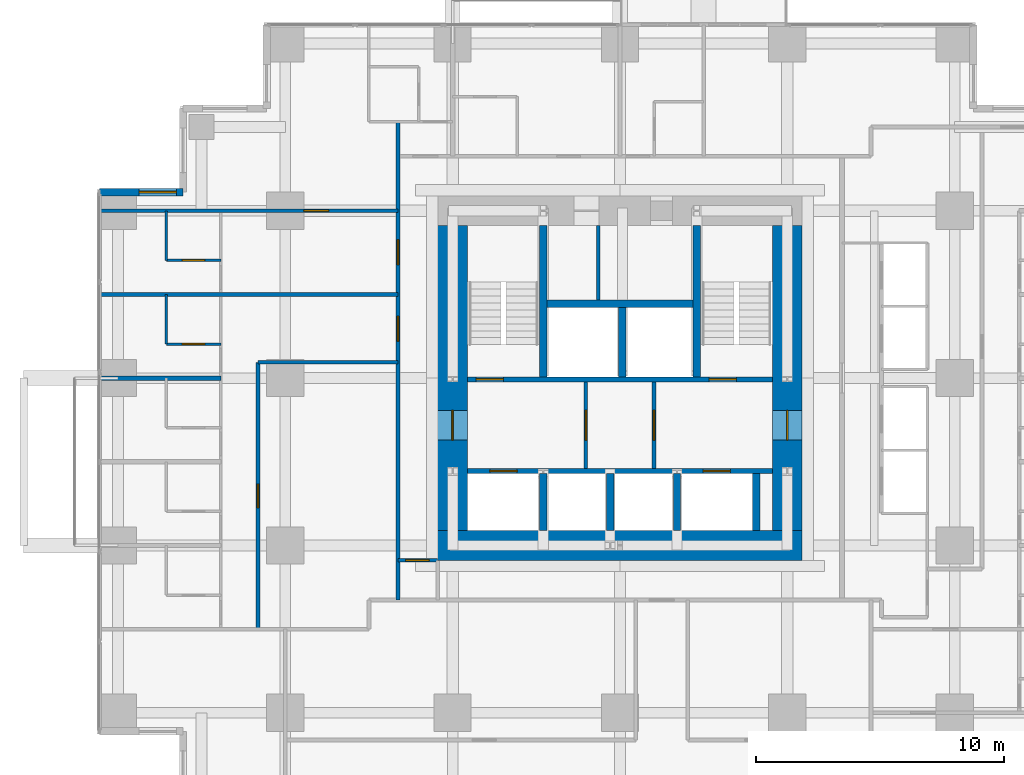
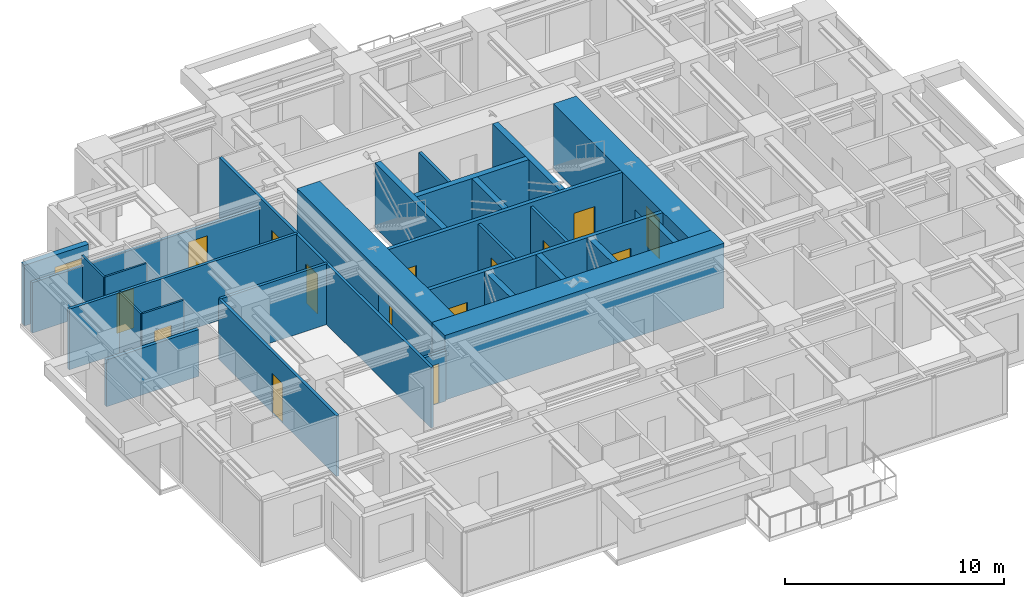
# One storey, part 8 of 12: 28 walls, 15 doors, 1 window, 16 openings.
"""IFC4 building model written with IfcOpenShell, lengths in metres."""

from ifc_helpers import new_model, si_unit, direction, frame, frame_2d, origin, place, context, subcontext, project, spatial, rectangle, extrude, material, layer, layer_set, type_object, element, fill, save


model = new_model("IFC4")

# Units and contexts
model_context = context("Model", 3, precision=1e-05, world=origin(), true_north=direction((0.0, 1.0)))
body_context = subcontext(model_context, "Body", "Model", "MODEL_VIEW")
ifc_project = project(units=[si_unit("LENGTHUNIT", "METRE"), si_unit("AREAUNIT", "SQUARE_METRE"), si_unit("VOLUMEUNIT", "CUBIC_METRE"), si_unit("PLANEANGLEUNIT", "RADIAN"), si_unit("MASSUNIT", "GRAM", prefix="KILO")], contexts=[model_context])

# Site, building, storey
site_placement = place(None, origin())
site = spatial("IfcSite", under=ifc_project, at=site_placement, CompositionType="ELEMENT")
building_placement = place(site_placement, origin())
building = spatial("IfcBuilding", under=site, at=building_placement, Name="Nyansa Garden Tower", CompositionType="ELEMENT")
storey_placement = place(building_placement, frame((0.0, 0.0, 126.89990234375)))
storey = spatial("IfcBuildingStorey", under=building, at=storey_placement, Name="L34", CompositionType="ELEMENT", Elevation=126.89990234375)

# Wall
ifc_material_1 = material(Name="Dense blockwork, plastered both sides, 55 dB", Category="masonry")
ifc_layer_1 = layer(ifc_material_1, 0.175048828125)
ifc_layer_set_1 = layer_set([ifc_layer_1], Name="Acoustic party wall PW175")
wall_type_1 = type_object("IfcWallType", Name="Acoustic party wall PW175", PredefinedType="PARTITIONING", material=ifc_layer_set_1)
wall_1_placement = place(storey_placement, frame((-0.73388671875, 20.25, 0.0), z_axis=(0.0, 0.0, 1.0), x_axis=(1.0, 0.0, 0.0)))
element("IfcWall", 1, at=wall_1_placement, inside=storey, type_object=wall_type_1, Name="Party wall", PredefinedType="PARTITIONING", context=body_context, shape_type="SweptSolid", body=[
    extrude(rectangle(XDim=4.8837890625, YDim=0.175048828125, at=frame_2d((2.44189453125, 0.0))), origin(), (0.0, 0.0, 1.0), 2.610107421875),
])

# Wall, openings, doors
ifc_material_2 = material(Name="Concrete C70/85", Category="concrete")
ifc_layer_2 = layer(ifc_material_2, 0.199951171875)
ifc_layer_set_2 = layer_set([ifc_layer_2], Name="Core inner wall CI200")
wall_type_2 = type_object("IfcWallType", Name="Core inner wall CI200", PredefinedType="SHEAR", material=ifc_layer_set_2)
wall_2_placement = place(storey_placement, frame((14.10009765625, 16.5, 0.0), z_axis=(0.0, 0.0, 1.0), x_axis=(1.0, 0.0, 0.0)))
wall_2 = element("IfcWall", 2, at=wall_2_placement, inside=storey, type_object=wall_type_2, Name="Core inner wall L34", PredefinedType="SHEAR", context=body_context, shape_type="SweptSolid", body=[
    extrude(rectangle(XDim=12.2998046875, YDim=0.199951171875, at=frame_2d((6.14990234375, 0.0))), origin(), (0.0, 0.0, 1.0), 3.60009765625),
])
opening_1_placement = place(wall_2_placement, frame((0.89990234375, 0.0, 0.0)))
opening_1 = element("IfcOpeningElement", 3, at=opening_1_placement, cuts=wall_2, Name="Opening LD-F", PredefinedType="OPENING", context=body_context, shape_type="SweptSolid", body=[
    extrude(rectangle(XDim=1.10009765625, YDim=2.199951171875, at=frame_2d((0.550048828125, 1.10009765625))), frame((0.0, 0.10986328125, 0.0), z_axis=(0.0, -1.0, 0.0), x_axis=(1.0, 0.0, 0.0)), (0.0, 0.0, 1.0), 0.219970703125),
])
opening_2_placement = place(wall_2_placement, frame((9.5, 0.0, 0.0)))
opening_2 = element("IfcOpeningElement", 4, at=opening_2_placement, cuts=wall_2, Name="Opening LD-F", PredefinedType="OPENING", context=body_context, shape_type="SweptSolid", body=[
    extrude(rectangle(XDim=1.10009765625, YDim=2.199951171875, at=frame_2d((0.550048828125, 1.10009765625))), frame((0.0, 0.10986328125, 0.0), z_axis=(0.0, -1.0, 0.0), x_axis=(1.0, 0.0, 0.0)), (0.0, 0.0, 1.0), 0.219970703125),
])
ifc_material_3 = material(Name="Stainless steel centre-opening landing door of the firefighting lift, EN 81-72, E 120", Category="steel")
door_type_1 = type_object("IfcDoorType", Name="Lift landing door LD-F 1100x2200", OperationType="DOUBLE_DOOR_SLIDING", PredefinedType="DOOR", material=ifc_material_3)
door_1_placement = place(opening_1_placement, origin())
door_1 = element("IfcDoor", 5, at=door_1_placement, inside=storey, type_object=door_type_1, Name="Landing door FF1", OperationType="DOUBLE_DOOR_SLIDING", OverallHeight=2.199951171875, OverallWidth=1.10009765625, PredefinedType="DOOR", context=body_context, shape_type="SweptSolid", body=[
    extrude(rectangle(XDim=1.10009765625, YDim=2.199951171875, at=frame_2d((0.550048828125, 1.10009765625))), frame((0.0, 0.02490234375, 0.0), z_axis=(0.0, -1.0, 0.0), x_axis=(1.0, 0.0, 0.0)), (0.0, 0.0, 1.0), 0.050048828125),
])
fill(opening_1, door_1)
door_2_placement = place(opening_2_placement, origin())
door_2 = element("IfcDoor", 6, at=door_2_placement, inside=storey, type_object=door_type_1, Name="Landing door FF2", OperationType="DOUBLE_DOOR_SLIDING", OverallHeight=2.199951171875, OverallWidth=1.10009765625, PredefinedType="DOOR", context=body_context, shape_type="SweptSolid", body=[
    extrude(rectangle(XDim=1.10009765625, YDim=2.199951171875, at=frame_2d((0.550048828125, 1.10009765625))), frame((0.0, 0.02490234375, 0.0), z_axis=(0.0, -1.0, 0.0), x_axis=(1.0, 0.0, 0.0)), (0.0, 0.0, 1.0), 0.050048828125),
])
fill(opening_2, door_2)

wall_3_placement = place(storey_placement, frame((14.10009765625, 20.199951171875, 0.0), z_axis=(0.0, 0.0, 1.0), x_axis=(1.0, 0.0, 0.0)))
wall_3 = element("IfcWall", 7, at=wall_3_placement, inside=storey, type_object=wall_type_2, Name="Core inner wall L34", PredefinedType="SHEAR", context=body_context, shape_type="SweptSolid", body=[
    extrude(rectangle(XDim=12.2998046875, YDim=0.199951171875, at=frame_2d((6.14990234375, 0.0))), origin(), (0.0, 0.0, 1.0), 3.60009765625),
])
opening_3_placement = place(wall_3_placement, frame((0.35009765625, 0.0, 0.0)))
opening_3 = element("IfcOpeningElement", 8, at=opening_3_placement, cuts=wall_3, Name="Opening D05", PredefinedType="OPENING", context=body_context, shape_type="SweptSolid", body=[
    extrude(rectangle(XDim=1.10009765625, YDim=2.199951171875, at=frame_2d((0.550048828125, 1.10009765625))), frame((0.0, 0.10986328125, 0.0), z_axis=(0.0, -1.0, 0.0), x_axis=(1.0, 0.0, 0.0)), (0.0, 0.0, 1.0), 0.219970703125),
])
opening_4_placement = place(wall_3_placement, frame((9.75, 0.0, 0.0)))
opening_4 = element("IfcOpeningElement", 9, at=opening_4_placement, cuts=wall_3, Name="Opening D05", PredefinedType="OPENING", context=body_context, shape_type="SweptSolid", body=[
    extrude(rectangle(XDim=1.10009765625, YDim=2.199951171875, at=frame_2d((0.550048828125, 1.10009765625))), frame((0.0, 0.10986328125, 0.0), z_axis=(0.0, -1.0, 0.0), x_axis=(1.0, 0.0, 0.0)), (0.0, 0.0, 1.0), 0.219970703125),
])
ifc_material_4 = material(Name="Steel door, 120 minute fire resisting", Category="steel")
door_type_2 = type_object("IfcDoorType", Name="Stair door D05 1100x2200", OperationType="SINGLE_SWING_LEFT", PredefinedType="DOOR", material=ifc_material_4)
door_3_placement = place(opening_3_placement, origin())
door_3 = element("IfcDoor", 10, at=door_3_placement, inside=storey, type_object=door_type_2, Name="Stair S1 door", OperationType="SINGLE_SWING_LEFT", OverallHeight=2.199951171875, OverallWidth=1.10009765625, PredefinedType="DOOR", context=body_context, shape_type="SweptSolid", body=[
    extrude(rectangle(XDim=1.10009765625, YDim=2.199951171875, at=frame_2d((0.550048828125, 1.10009765625))), frame((0.0, 0.02490234375, 0.0), z_axis=(0.0, -1.0, 0.0), x_axis=(1.0, 0.0, 0.0)), (0.0, 0.0, 1.0), 0.050048828125),
])
fill(opening_3, door_3)
door_4_placement = place(opening_4_placement, origin())
door_4 = element("IfcDoor", 11, at=door_4_placement, inside=storey, type_object=door_type_2, Name="Stair S2 door", OperationType="SINGLE_SWING_LEFT", OverallHeight=2.199951171875, OverallWidth=1.10009765625, PredefinedType="DOOR", context=body_context, shape_type="SweptSolid", body=[
    extrude(rectangle(XDim=1.10009765625, YDim=2.199951171875, at=frame_2d((0.550048828125, 1.10009765625))), frame((0.0, 0.02490234375, 0.0), z_axis=(0.0, -1.0, 0.0), x_axis=(1.0, 0.0, 0.0)), (0.0, 0.0, 1.0), 0.050048828125),
])
fill(opening_4, door_4)

# Walls
ifc_material_5 = material(Name="Concrete C70/85", Category="concrete")
ifc_layer_3 = layer(ifc_material_5, 0.300048828125)
ifc_layer_set_3 = layer_set([ifc_layer_3], Name="Core inner wall CI300")
wall_type_3 = type_object("IfcWallType", Name="Core inner wall CI300", PredefinedType="SHEAR", material=ifc_layer_set_3)
for number, where, z_axis, x_axis, name in (
    (12, (17.14990234375, 20.300048828125, 0.0), (0.0, 0.0, 1.0), (0.0, 1.0, 0.0), "Core inner wall L34"),
    (13, (23.35009765625, 20.300048828125, 0.0), (0.0, 0.0, 1.0), (0.0, 1.0, 0.0), "Core inner wall L34"),
):
    element("IfcWall", number, at=place(storey_placement, frame(where, z_axis=z_axis, x_axis=x_axis)), inside=storey, type_object=wall_type_3, Name=name, PredefinedType="SHEAR", context=body_context, shape_type="SweptSolid", body=[
        extrude(rectangle(XDim=6.099853515625, YDim=0.300048828125, at=frame_2d((3.0498046875, 0.0))), origin(), (0.0, 0.0, 1.0), 3.60009765625),
    ])
wall_4_placement = place(storey_placement, frame((20.35009765625, 20.300048828125, 0.0), z_axis=(0.0, 0.0, 1.0), x_axis=(0.0, 1.0, 0.0)))
element("IfcWall", 14, at=wall_4_placement, inside=storey, type_object=wall_type_3, Name="Core inner wall L34", PredefinedType="SHEAR", context=body_context, shape_type="SweptSolid", body=[
    extrude(rectangle(XDim=2.800048828125, YDim=0.300048828125, at=frame_2d((1.39990234375, 0.0))), origin(), (0.0, 0.0, 1.0), 3.60009765625),
])
wall_5_placement = place(storey_placement, frame((17.300048828125, 23.25, 0.0), z_axis=(0.0, 0.0, 1.0), x_axis=(1.0, 0.0, 0.0)))
element("IfcWall", 15, at=wall_5_placement, inside=storey, type_object=wall_type_3, Name="Core inner wall L34", PredefinedType="SHEAR", context=body_context, shape_type="SweptSolid", body=[
    extrude(rectangle(XDim=5.89990234375, YDim=0.300048828125, at=frame_2d((2.949951171875, 0.0))), origin(), (0.0, 0.0, 1.0), 3.60009765625),
])
for number, where, z_axis, x_axis, name in (
    (16, (17.14990234375, 14.10009765625, 0.0), (0.0, 0.0, 1.0), (0.0, 1.0, 0.0), "Core inner wall L34"),
    (17, (19.85009765625, 14.10009765625, 0.0), (0.0, 0.0, 1.0), (0.0, 1.0, 0.0), "Core inner wall L34"),
    (18, (22.550048828125, 14.10009765625, 0.0), (0.0, 0.0, 1.0), (0.0, 1.0, 0.0), "Core inner wall L34"),
    (19, (25.75, 14.10009765625, 0.0), (0.0, 0.0, 1.0), (0.0, 1.0, 0.0), "Core inner wall L34"),
):
    element("IfcWall", number, at=place(storey_placement, frame(where, z_axis=z_axis, x_axis=x_axis)), inside=storey, type_object=wall_type_3, Name=name, PredefinedType="SHEAR", context=body_context, shape_type="SweptSolid", body=[
        extrude(rectangle(XDim=2.2998046875, YDim=0.300048828125, at=frame_2d((1.14990234375, 0.0))), origin(), (0.0, 0.0, 1.0), 3.60009765625),
    ])
ifc_material_6 = material(Name="Concrete C80/95", Category="concrete")
ifc_layer_4 = layer(ifc_material_6, 1.199951171875)
ifc_layer_set_4 = layer_set([ifc_layer_4], Name="Core wall CW1200")
wall_type_4 = type_object("IfcWallType", Name="Core wall CW1200", PredefinedType="SHEAR", material=ifc_layer_set_4)
wall_6_placement = place(storey_placement, frame((12.89990234375, 13.5, 0.0), z_axis=(0.0, 0.0, 1.0), x_axis=(1.0, 0.0, 0.0)))
element("IfcWall", 20, at=wall_6_placement, inside=storey, type_object=wall_type_4, Name="Core wall S L34", PredefinedType="SHEAR", context=body_context, shape_type="SweptSolid", body=[
    extrude(rectangle(XDim=14.7001953125, YDim=1.199951171875, at=frame_2d((7.35009765625, 0.0))), origin(), (0.0, 0.0, 1.0), 3.60009765625),
])

# Wall, opening, door
wall_7_placement = place(storey_placement, frame((27.0, 14.10009765625, 0.0), z_axis=(0.0, 0.0, 1.0), x_axis=(0.0, 1.0, 0.0)))
wall_7 = element("IfcWall", 21, at=wall_7_placement, inside=storey, type_object=wall_type_4, Name="Core wall E L34", PredefinedType="SHEAR", context=body_context, shape_type="SweptSolid", body=[
    extrude(rectangle(XDim=12.2998046875, YDim=1.199951171875, at=frame_2d((6.14990234375, 0.0))), origin(), (0.0, 0.0, 1.0), 3.60009765625),
])
opening_5_placement = place(wall_7_placement, frame((3.64990234375, 0.0, 0.0)))
opening_5 = element("IfcOpeningElement", 22, at=opening_5_placement, cuts=wall_7, Name="Opening D06", PredefinedType="OPENING", context=body_context, shape_type="SweptSolid", body=[
    extrude(rectangle(XDim=1.199951171875, YDim=2.199951171875, at=frame_2d((0.60009765625, 1.10009765625))), frame((0.0, 0.60986328125, 0.0), z_axis=(0.0, -1.0, 0.0), x_axis=(1.0, 0.0, 0.0)), (0.0, 0.0, 1.0), 1.219970703125),
])
ifc_material_7 = material(Name="Steel door, 120 minute fire resisting", Category="steel")
door_type_3 = type_object("IfcDoorType", Name="Lobby door D06 1200x2200", OperationType="DOUBLE_DOOR_SINGLE_SWING", PredefinedType="DOOR", material=ifc_material_7)
door_5_placement = place(opening_5_placement, origin())
door_5 = element("IfcDoor", 23, at=door_5_placement, inside=storey, type_object=door_type_3, Name="Lift lobby door east", OperationType="DOUBLE_DOOR_SINGLE_SWING", OverallHeight=2.199951171875, OverallWidth=1.199951171875, PredefinedType="DOOR", context=body_context, shape_type="SweptSolid", body=[
    extrude(rectangle(XDim=1.199951171875, YDim=2.199951171875, at=frame_2d((0.60009765625, 1.10009765625))), frame((0.0, 0.02490234375, 0.0), z_axis=(0.0, -1.0, 0.0), x_axis=(1.0, 0.0, 0.0)), (0.0, 0.0, 1.0), 0.050048828125),
])
fill(opening_5, door_5)

wall_8_placement = place(storey_placement, frame((13.5, 26.39990234375, 0.0), z_axis=(0.0, 0.0, 1.0), x_axis=(0.0, -1.0, 0.0)))
wall_8 = element("IfcWall", 24, at=wall_8_placement, inside=storey, type_object=wall_type_4, Name="Core wall W L34", PredefinedType="SHEAR", context=body_context, shape_type="SweptSolid", body=[
    extrude(rectangle(XDim=12.2998046875, YDim=1.199951171875, at=frame_2d((6.14990234375, 0.0))), origin(), (0.0, 0.0, 1.0), 3.60009765625),
])
opening_6_placement = place(wall_8_placement, frame((7.449951171875, 0.0, 0.0)))
opening_6 = element("IfcOpeningElement", 25, at=opening_6_placement, cuts=wall_8, Name="Opening D06", PredefinedType="OPENING", context=body_context, shape_type="SweptSolid", body=[
    extrude(rectangle(XDim=1.199951171875, YDim=2.199951171875, at=frame_2d((0.60009765625, 1.10009765625))), frame((0.0, 0.60986328125, 0.0), z_axis=(0.0, -1.0, 0.0), x_axis=(1.0, 0.0, 0.0)), (0.0, 0.0, 1.0), 1.219970703125),
])
door_6_placement = place(opening_6_placement, origin())
door_6 = element("IfcDoor", 26, at=door_6_placement, inside=storey, type_object=door_type_3, Name="Lift lobby door west", OperationType="DOUBLE_DOOR_SINGLE_SWING", OverallHeight=2.199951171875, OverallWidth=1.199951171875, PredefinedType="DOOR", context=body_context, shape_type="SweptSolid", body=[
    extrude(rectangle(XDim=1.199951171875, YDim=2.199951171875, at=frame_2d((0.60009765625, 1.10009765625))), frame((0.0, 0.02490234375, 0.0), z_axis=(0.0, -1.0, 0.0), x_axis=(1.0, 0.0, 0.0)), (0.0, 0.0, 1.0), 0.050048828125),
])
fill(opening_6, door_6)

ifc_material_8 = material(Name="Blockwork, plastered both sides", Category="masonry")
ifc_layer_5 = layer(ifc_material_8, 0.14990234375)
ifc_layer_set_5 = layer_set([ifc_layer_5], Name="Partition PW150")
wall_type_5 = type_object("IfcWallType", Name="Partition PW150", PredefinedType="PARTITIONING", material=ifc_layer_set_5)
wall_9_placement = place(storey_placement, frame((18.875, 16.60009765625, 0.0), z_axis=(0.0, 0.0, 1.0), x_axis=(0.0, 1.0, 0.0)))
wall_9 = element("IfcWall", 27, at=wall_9_placement, inside=storey, type_object=wall_type_5, Name="Partition", PredefinedType="PARTITIONING", context=body_context, shape_type="SweptSolid", body=[
    extrude(rectangle(XDim=3.5, YDim=0.14990234375, at=frame_2d((1.75, 0.0))), origin(), (0.0, 0.0, 1.0), 3.375),
])
opening_7_placement = place(wall_9_placement, frame((1.14990234375, 0.0, 0.0)))
opening_7 = element("IfcOpeningElement", 28, at=opening_7_placement, cuts=wall_9, Name="Opening D06", PredefinedType="OPENING", context=body_context, shape_type="SweptSolid", body=[
    extrude(rectangle(XDim=1.199951171875, YDim=2.199951171875, at=frame_2d((0.60009765625, 1.10009765625))), frame((0.0, 0.0849609375, 0.0), z_axis=(0.0, -1.0, 0.0), x_axis=(1.0, 0.0, 0.0)), (0.0, 0.0, 1.0), 0.169921875),
])
door_7_placement = place(opening_7_placement, origin())
door_7 = element("IfcDoor", 29, at=door_7_placement, inside=storey, type_object=door_type_3, Name="Passenger lift lobby door", OperationType="DOUBLE_DOOR_SINGLE_SWING", OverallHeight=2.199951171875, OverallWidth=1.199951171875, PredefinedType="DOOR", context=body_context, shape_type="SweptSolid", body=[
    extrude(rectangle(XDim=1.199951171875, YDim=2.199951171875, at=frame_2d((0.60009765625, 1.10009765625))), frame((0.0, 0.02490234375, 0.0), z_axis=(0.0, -1.0, 0.0), x_axis=(1.0, 0.0, 0.0)), (0.0, 0.0, 1.0), 0.050048828125),
])
fill(opening_7, door_7)

wall_10_placement = place(storey_placement, frame((21.625, 16.60009765625, 0.0), z_axis=(0.0, 0.0, 1.0), x_axis=(0.0, 1.0, 0.0)))
wall_10 = element("IfcWall", 30, at=wall_10_placement, inside=storey, type_object=wall_type_5, Name="Partition", PredefinedType="PARTITIONING", context=body_context, shape_type="SweptSolid", body=[
    extrude(rectangle(XDim=3.5, YDim=0.14990234375, at=frame_2d((1.75, 0.0))), origin(), (0.0, 0.0, 1.0), 3.375),
])
opening_8_placement = place(wall_10_placement, frame((1.14990234375, 0.0, 0.0)))
opening_8 = element("IfcOpeningElement", 31, at=opening_8_placement, cuts=wall_10, Name="Opening D06", PredefinedType="OPENING", context=body_context, shape_type="SweptSolid", body=[
    extrude(rectangle(XDim=1.199951171875, YDim=2.199951171875, at=frame_2d((0.60009765625, 1.10009765625))), frame((0.0, 0.0849609375, 0.0), z_axis=(0.0, -1.0, 0.0), x_axis=(1.0, 0.0, 0.0)), (0.0, 0.0, 1.0), 0.169921875),
])
door_8_placement = place(opening_8_placement, origin())
door_8 = element("IfcDoor", 32, at=door_8_placement, inside=storey, type_object=door_type_3, Name="Passenger lift lobby door", OperationType="DOUBLE_DOOR_SINGLE_SWING", OverallHeight=2.199951171875, OverallWidth=1.199951171875, PredefinedType="DOOR", context=body_context, shape_type="SweptSolid", body=[
    extrude(rectangle(XDim=1.199951171875, YDim=2.199951171875, at=frame_2d((0.60009765625, 1.10009765625))), frame((0.0, 0.02490234375, 0.0), z_axis=(0.0, -1.0, 0.0), x_axis=(1.0, 0.0, 0.0)), (0.0, 0.0, 1.0), 0.050048828125),
])
fill(opening_8, door_8)

# Walls
wall_11_placement = place(storey_placement, frame((19.375, 23.39990234375, 0.0), z_axis=(0.0, 0.0, 1.0), x_axis=(0.0, 1.0, 0.0)))
element("IfcWall", 33, at=wall_11_placement, inside=storey, type_object=wall_type_5, Name="Partition", PredefinedType="PARTITIONING", context=body_context, shape_type="SweptSolid", body=[
    extrude(rectangle(XDim=3.0, YDim=0.14990234375, at=frame_2d((1.5, 0.0))), origin(), (0.0, 0.0, 1.0), 3.375),
])
wall_12_placement = place(storey_placement, frame((-0.73388671875, 23.625, 0.0), z_axis=(0.0, 0.0, 1.0), x_axis=(1.0, 0.0, 0.0)))
element("IfcWall", 34, at=wall_12_placement, inside=storey, type_object=wall_type_5, Name="Partition", PredefinedType="PARTITIONING", context=body_context, shape_type="SweptSolid", body=[
    extrude(rectangle(XDim=12.033935546875, YDim=0.14990234375, at=frame_2d((6.01708984375, 0.0))), origin(), (0.0, 0.0, 1.0), 3.375),
])

# Wall, opening, door
wall_13_placement = place(storey_placement, frame((-0.73388671875, 27.0, 0.0), z_axis=(0.0, 0.0, 1.0), x_axis=(1.0, 0.0, 0.0)))
wall_13 = element("IfcWall", 35, at=wall_13_placement, inside=storey, type_object=wall_type_5, Name="Partition", PredefinedType="PARTITIONING", context=body_context, shape_type="SweptSolid", body=[
    extrude(rectangle(XDim=12.033935546875, YDim=0.14990234375, at=frame_2d((6.01708984375, 0.0))), origin(), (0.0, 0.0, 1.0), 2.80615234375),
])
opening_9_placement = place(wall_13_placement, frame((8.23388671875, 0.0, 0.0)))
opening_9 = element("IfcOpeningElement", 36, at=opening_9_placement, cuts=wall_13, Name="Opening D03", PredefinedType="OPENING", context=body_context, shape_type="SweptSolid", body=[
    extrude(rectangle(XDim=1.0, YDim=2.199951171875, at=frame_2d((0.5, 1.10009765625))), frame((0.0, 0.0849609375, 0.0), z_axis=(0.0, -1.0, 0.0), x_axis=(1.0, 0.0, 0.0)), (0.0, 0.0, 1.0), 0.169921875),
])
ifc_material_9 = material(Name="Timber flush door, 60 minute fire resisting", Category="wood")
door_type_4 = type_object("IfcDoorType", Name="Cluster entrance door D03 1000x2200", OperationType="SINGLE_SWING_LEFT", PredefinedType="DOOR", material=ifc_material_9)
door_9_placement = place(opening_9_placement, origin())
door_9 = element("IfcDoor", 37, at=door_9_placement, inside=storey, type_object=door_type_4, Name="Door L34-051", OperationType="SINGLE_SWING_LEFT", OverallHeight=2.199951171875, OverallWidth=1.0, PredefinedType="DOOR", context=body_context, shape_type="SweptSolid", body=[
    extrude(rectangle(XDim=1.0, YDim=2.199951171875, at=frame_2d((0.5, 1.10009765625))), frame((0.0, 0.02490234375, 0.0), z_axis=(0.0, -1.0, 0.0), x_axis=(1.0, 0.0, 0.0)), (0.0, 0.0, 1.0), 0.050048828125),
])
fill(opening_9, door_9)

wall_14_placement = place(storey_placement, frame((5.64990234375, 10.125, 0.0), z_axis=(0.0, 0.0, 1.0), x_axis=(0.0, 1.0, 0.0)))
wall_14 = element("IfcWall", 38, at=wall_14_placement, inside=storey, type_object=wall_type_5, Name="Partition", PredefinedType="PARTITIONING", context=body_context, shape_type="SweptSolid", body=[
    extrude(rectangle(XDim=10.762451171875, YDim=0.14990234375, at=frame_2d((5.38134765625, 0.0))), origin(), (0.0, 0.0, 1.0), 3.375),
])
opening_10_placement = place(wall_14_placement, frame((4.89990234375, 0.0, 0.0)))
opening_10 = element("IfcOpeningElement", 39, at=opening_10_placement, cuts=wall_14, Name="Opening D01", PredefinedType="OPENING", context=body_context, shape_type="SweptSolid", body=[
    extrude(rectangle(XDim=0.949951171875, YDim=2.199951171875, at=frame_2d((0.47509765625, 1.10009765625))), frame((0.0, 0.0849609375, 0.0), z_axis=(0.0, -1.0, 0.0), x_axis=(1.0, 0.0, 0.0)), (0.0, 0.0, 1.0), 0.169921875),
])
ifc_material_10 = material(Name="Timber flush door, 30 minute fire resisting", Category="wood")
door_type_5 = type_object("IfcDoorType", Name="Bedroom door D01 950x2200", OperationType="SINGLE_SWING_LEFT", PredefinedType="DOOR", material=ifc_material_10)
door_10_placement = place(opening_10_placement, origin())
door_10 = element("IfcDoor", 40, at=door_10_placement, inside=storey, type_object=door_type_5, Name="Door L34-064", OperationType="SINGLE_SWING_LEFT", OverallHeight=2.199951171875, OverallWidth=0.949951171875, PredefinedType="DOOR", context=body_context, shape_type="SweptSolid", body=[
    extrude(rectangle(XDim=0.949951171875, YDim=2.199951171875, at=frame_2d((0.47509765625, 1.10009765625))), frame((0.0, 0.02490234375, 0.0), z_axis=(0.0, -1.0, 0.0), x_axis=(1.0, 0.0, 0.0)), (0.0, 0.0, 1.0), 0.050048828125),
])
fill(opening_10, door_10)

# Wall
wall_15_placement = place(storey_placement, frame((5.64990234375, 20.886962890625, 0.0), z_axis=(0.0, 0.0, 1.0), x_axis=(1.0, 0.0, 0.0)))
element("IfcWall", 41, at=wall_15_placement, inside=storey, type_object=wall_type_5, Name="Partition", PredefinedType="PARTITIONING", context=body_context, shape_type="SweptSolid", body=[
    extrude(rectangle(XDim=5.650146484375, YDim=0.14990234375, at=frame_2d((2.8251953125, 0.0))), origin(), (0.0, 0.0, 1.0), 3.375),
])

# Wall, openings, doors
wall_16_placement = place(storey_placement, frame((11.300048828125, 11.300048828125, 0.0), z_axis=(0.0, 0.0, 1.0), x_axis=(0.0, 1.0, 0.0)))
wall_16 = element("IfcWall", 42, at=wall_16_placement, inside=storey, type_object=wall_type_5, Name="Partition", PredefinedType="PARTITIONING", context=body_context, shape_type="SweptSolid", body=[
    extrude(rectangle(XDim=19.300048828125, YDim=0.14990234375, at=frame_2d((9.64990234375, 0.0))), origin(), (0.0, 0.0, 1.0), 3.375),
])
opening_11_placement = place(wall_16_placement, frame((13.52490234375, 0.0, 0.0)))
opening_11 = element("IfcOpeningElement", 43, at=opening_11_placement, cuts=wall_16, Name="Opening D03", PredefinedType="OPENING", context=body_context, shape_type="SweptSolid", body=[
    extrude(rectangle(XDim=1.0, YDim=2.199951171875, at=frame_2d((0.5, 1.10009765625))), frame((0.0, 0.0849609375, 0.0), z_axis=(0.0, -1.0, 0.0), x_axis=(1.0, 0.0, 0.0)), (0.0, 0.0, 1.0), 0.169921875),
])
opening_12_placement = place(wall_16_placement, frame((10.4375, 0.0, 0.0)))
opening_12 = element("IfcOpeningElement", 44, at=opening_12_placement, cuts=wall_16, Name="Opening D03", PredefinedType="OPENING", context=body_context, shape_type="SweptSolid", body=[
    extrude(rectangle(XDim=1.0, YDim=2.199951171875, at=frame_2d((0.5, 1.10009765625))), frame((0.0, 0.0849609375, 0.0), z_axis=(0.0, -1.0, 0.0), x_axis=(1.0, 0.0, 0.0)), (0.0, 0.0, 1.0), 0.169921875),
])
door_11_placement = place(opening_11_placement, origin())
door_11 = element("IfcDoor", 45, at=door_11_placement, inside=storey, type_object=door_type_4, Name="Door L34-054", OperationType="SINGLE_SWING_LEFT", OverallHeight=2.199951171875, OverallWidth=1.0, PredefinedType="DOOR", context=body_context, shape_type="SweptSolid", body=[
    extrude(rectangle(XDim=1.0, YDim=2.199951171875, at=frame_2d((0.5, 1.10009765625))), frame((0.0, 0.02490234375, 0.0), z_axis=(0.0, -1.0, 0.0), x_axis=(1.0, 0.0, 0.0)), (0.0, 0.0, 1.0), 0.050048828125),
])
fill(opening_11, door_11)
door_12_placement = place(opening_12_placement, origin())
door_12 = element("IfcDoor", 46, at=door_12_placement, inside=storey, type_object=door_type_4, Name="Door L34-063", OperationType="SINGLE_SWING_LEFT", OverallHeight=2.199951171875, OverallWidth=1.0, PredefinedType="DOOR", context=body_context, shape_type="SweptSolid", body=[
    extrude(rectangle(XDim=1.0, YDim=2.199951171875, at=frame_2d((0.5, 1.10009765625))), frame((0.0, 0.02490234375, 0.0), z_axis=(0.0, -1.0, 0.0), x_axis=(1.0, 0.0, 0.0)), (0.0, 0.0, 1.0), 0.050048828125),
])
fill(opening_12, door_12)

# Wall, opening, door
wall_17_placement = place(storey_placement, frame((11.300048828125, 12.89990234375, 0.0), z_axis=(0.0, 0.0, 1.0), x_axis=(1.0, 0.0, 0.0)))
wall_17 = element("IfcWall", 47, at=wall_17_placement, inside=storey, type_object=wall_type_5, Name="Partition", PredefinedType="PARTITIONING", context=body_context, shape_type="SweptSolid", body=[
    extrude(rectangle(XDim=1.599853515625, YDim=0.14990234375, at=frame_2d((0.7998046875, 0.0))), origin(), (0.0, 0.0, 1.0), 2.80615234375),
])
opening_13_placement = place(wall_17_placement, frame((0.300048828125, 0.0, 0.0)))
opening_13 = element("IfcOpeningElement", 48, at=opening_13_placement, cuts=wall_17, Name="Opening D01", PredefinedType="OPENING", context=body_context, shape_type="SweptSolid", body=[
    extrude(rectangle(XDim=0.949951171875, YDim=2.199951171875, at=frame_2d((0.47509765625, 1.10009765625))), frame((0.0, 0.0849609375, 0.0), z_axis=(0.0, -1.0, 0.0), x_axis=(1.0, 0.0, 0.0)), (0.0, 0.0, 1.0), 0.169921875),
])
door_13_placement = place(opening_13_placement, origin())
door_13 = element("IfcDoor", 49, at=door_13_placement, inside=storey, type_object=door_type_5, Name="Door L34-016", OperationType="SINGLE_SWING_LEFT", OverallHeight=2.199951171875, OverallWidth=0.949951171875, PredefinedType="DOOR", context=body_context, shape_type="SweptSolid", body=[
    extrude(rectangle(XDim=0.949951171875, YDim=2.199951171875, at=frame_2d((0.47509765625, 1.10009765625))), frame((0.0, 0.02490234375, 0.0), z_axis=(0.0, -1.0, 0.0), x_axis=(1.0, 0.0, 0.0)), (0.0, 0.0, 1.0), 0.050048828125),
])
fill(opening_13, door_13)

# Wall, opening, window
ifc_material_11 = material(Name="Turquoise glazed tile on concrete blockwork", Category="masonry")
ifc_layer_6 = layer(ifc_material_11, 0.300048828125)
ifc_layer_set_6 = layer_set([ifc_layer_6], Name="Tiled corner wall TW300")
wall_type_6 = type_object("IfcWallType", Name="Tiled corner wall TW300", PredefinedType="SOLIDWALL", material=ifc_layer_set_6)
wall_18_placement = place(storey_placement, frame((2.625, 27.75, 0.0), z_axis=(0.0, 0.0, 1.0), x_axis=(-1.0, 0.0, 0.0)))
wall_18 = element("IfcWall", 50, at=wall_18_placement, inside=storey, type_object=wall_type_6, Name="Tiled corner wall L34", PredefinedType="SOLIDWALL", context=body_context, shape_type="SweptSolid", body=[
    extrude(rectangle(XDim=3.375, YDim=0.300048828125, at=frame_2d((1.6875, 0.0))), origin(), (0.0, 0.0, 1.0), 3.375),
])
opening_14_placement = place(wall_18_placement, frame((0.267578125, 0.0, 0.89990234375)))
opening_14 = element("IfcOpeningElement", 51, at=opening_14_placement, cuts=wall_18, Name="Opening W1", PredefinedType="OPENING", context=body_context, shape_type="SweptSolid", body=[
    extrude(rectangle(XDim=1.5, YDim=1.800048828125, at=frame_2d((0.75, 0.89990234375))), frame((0.0, 0.159912109375, 0.0), z_axis=(0.0, -1.0, 0.0), x_axis=(1.0, 0.0, 0.0)), (0.0, 0.0, 1.0), 0.320068359375),
])
ifc_material_12 = material(Name="Black aluminium frame, dark tinted double glazing", Category="aluminium")
window_type = type_object("IfcWindowType", Name="Window W1 1500x1800", PartitioningType="SINGLE_PANEL", PredefinedType="WINDOW", material=ifc_material_12)
window_placement = place(opening_14_placement, origin())
window = element("IfcWindow", 52, at=window_placement, inside=storey, type_object=window_type, Name="Corner window L34", OverallHeight=1.800048828125, OverallWidth=1.5, PartitioningType="SINGLE_PANEL", PredefinedType="WINDOW", context=body_context, shape_type="SweptSolid", body=[
    extrude(rectangle(XDim=1.5, YDim=1.800048828125, at=frame_2d((0.75, 0.89990234375))), frame((0.0, 0.030029296875, 0.0), z_axis=(0.0, -1.0, 0.0), x_axis=(1.0, 0.0, 0.0)), (0.0, 0.0, 1.0), 0.06005859375),
])
fill(opening_14, window)

# Wall
ifc_material_13 = material(Name="Moisture resistant board on steel studs, tiled", Category="steel")
ifc_layer_7 = layer(ifc_material_13, 0.10009765625)
ifc_layer_set_7 = layer_set([ifc_layer_7], Name="Wet wall PW100")
wall_type_7 = type_object("IfcWallType", Name="Wet wall PW100", PredefinedType="PARTITIONING", material=ifc_layer_set_7)
wall_19_placement = place(storey_placement, frame((1.949951171875, 21.625, 0.0), z_axis=(0.0, 0.0, 1.0), x_axis=(0.0, 1.0, 0.0)))
element("IfcWall", 53, at=wall_19_placement, inside=storey, type_object=wall_type_7, Name="Wet wall", PredefinedType="PARTITIONING", context=body_context, shape_type="SweptSolid", body=[
    extrude(rectangle(XDim=2.0, YDim=0.10009765625, at=frame_2d((1.0, 0.0))), origin(), (0.0, 0.0, 1.0), 3.375),
])

# Wall, opening, door
wall_20_placement = place(storey_placement, frame((1.949951171875, 21.625, 0.0), z_axis=(0.0, 0.0, 1.0), x_axis=(1.0, 0.0, 0.0)))
wall_20 = element("IfcWall", 54, at=wall_20_placement, inside=storey, type_object=wall_type_7, Name="Wet wall", PredefinedType="PARTITIONING", context=body_context, shape_type="SweptSolid", body=[
    extrude(rectangle(XDim=2.199951171875, YDim=0.10009765625, at=frame_2d((1.10009765625, 0.0))), origin(), (0.0, 0.0, 1.0), 3.375),
])
opening_15_placement = place(wall_20_placement, frame((0.64990234375, 0.0, 0.0)))
opening_15 = element("IfcOpeningElement", 55, at=opening_15_placement, cuts=wall_20, Name="Opening D02", PredefinedType="OPENING", context=body_context, shape_type="SweptSolid", body=[
    extrude(rectangle(XDim=0.89990234375, YDim=2.199951171875, at=frame_2d((0.449951171875, 1.10009765625))), frame((0.0, 0.06005859375, 0.0), z_axis=(0.0, -1.0, 0.0), x_axis=(1.0, 0.0, 0.0)), (0.0, 0.0, 1.0), 0.1201171875),
])
ifc_material_14 = material(Name="Timber flush door", Category="wood")
door_type_6 = type_object("IfcDoorType", Name="En-suite door D02 900x2200", OperationType="SINGLE_SWING_RIGHT", PredefinedType="DOOR", material=ifc_material_14)
door_14_placement = place(opening_15_placement, origin())
door_14 = element("IfcDoor", 56, at=door_14_placement, inside=storey, type_object=door_type_6, Name="Door L34-062", OperationType="SINGLE_SWING_RIGHT", OverallHeight=2.199951171875, OverallWidth=0.89990234375, PredefinedType="DOOR", context=body_context, shape_type="SweptSolid", body=[
    extrude(rectangle(XDim=0.89990234375, YDim=2.199951171875, at=frame_2d((0.449951171875, 1.10009765625))), frame((0.0, 0.02490234375, 0.0), z_axis=(0.0, -1.0, 0.0), x_axis=(1.0, 0.0, 0.0)), (0.0, 0.0, 1.0), 0.050048828125),
])
fill(opening_15, door_14)

# Wall
wall_21_placement = place(storey_placement, frame((1.949951171875, 25.0, 0.0), z_axis=(0.0, 0.0, 1.0), x_axis=(0.0, 1.0, 0.0)))
element("IfcWall", 57, at=wall_21_placement, inside=storey, type_object=wall_type_7, Name="Wet wall", PredefinedType="PARTITIONING", context=body_context, shape_type="SweptSolid", body=[
    extrude(rectangle(XDim=2.0, YDim=0.10009765625, at=frame_2d((1.0, 0.0))), origin(), (0.0, 0.0, 1.0), 3.375),
])

# Wall, opening, door
wall_22_placement = place(storey_placement, frame((1.949951171875, 25.0, 0.0), z_axis=(0.0, 0.0, 1.0), x_axis=(1.0, 0.0, 0.0)))
wall_22 = element("IfcWall", 58, at=wall_22_placement, inside=storey, type_object=wall_type_7, Name="Wet wall", PredefinedType="PARTITIONING", context=body_context, shape_type="SweptSolid", body=[
    extrude(rectangle(XDim=2.199951171875, YDim=0.10009765625, at=frame_2d((1.10009765625, 0.0))), origin(), (0.0, 0.0, 1.0), 3.375),
])
opening_16_placement = place(wall_22_placement, frame((0.64990234375, 0.0, 0.0)))
opening_16 = element("IfcOpeningElement", 59, at=opening_16_placement, cuts=wall_22, Name="Opening D02", PredefinedType="OPENING", context=body_context, shape_type="SweptSolid", body=[
    extrude(rectangle(XDim=0.89990234375, YDim=2.199951171875, at=frame_2d((0.449951171875, 1.10009765625))), frame((0.0, 0.06005859375, 0.0), z_axis=(0.0, -1.0, 0.0), x_axis=(1.0, 0.0, 0.0)), (0.0, 0.0, 1.0), 0.1201171875),
])
door_15_placement = place(opening_16_placement, origin())
door_15 = element("IfcDoor", 60, at=door_15_placement, inside=storey, type_object=door_type_6, Name="Door L34-053", OperationType="SINGLE_SWING_RIGHT", OverallHeight=2.199951171875, OverallWidth=0.89990234375, PredefinedType="DOOR", context=body_context, shape_type="SweptSolid", body=[
    extrude(rectangle(XDim=0.89990234375, YDim=2.199951171875, at=frame_2d((0.449951171875, 1.10009765625))), frame((0.0, 0.02490234375, 0.0), z_axis=(0.0, -1.0, 0.0), x_axis=(1.0, 0.0, 0.0)), (0.0, 0.0, 1.0), 0.050048828125),
])
fill(opening_16, door_15)

save(model, "model.ifc")
